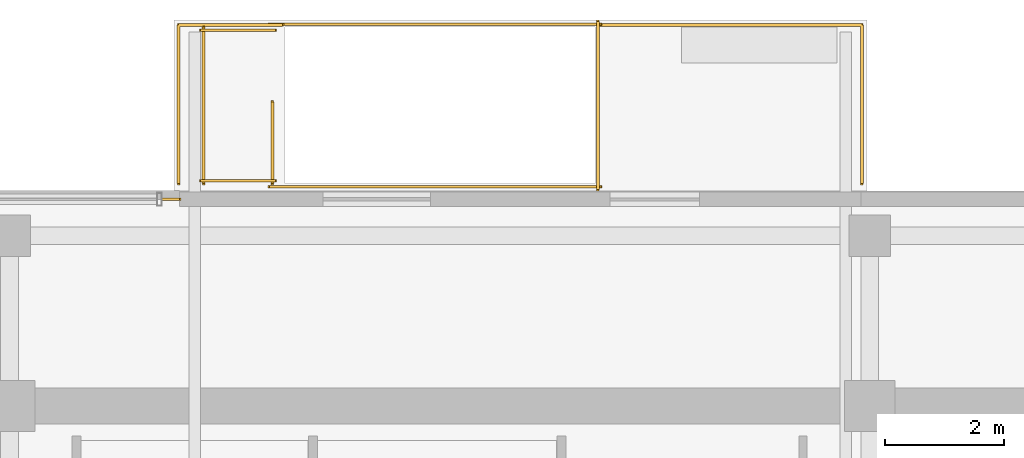
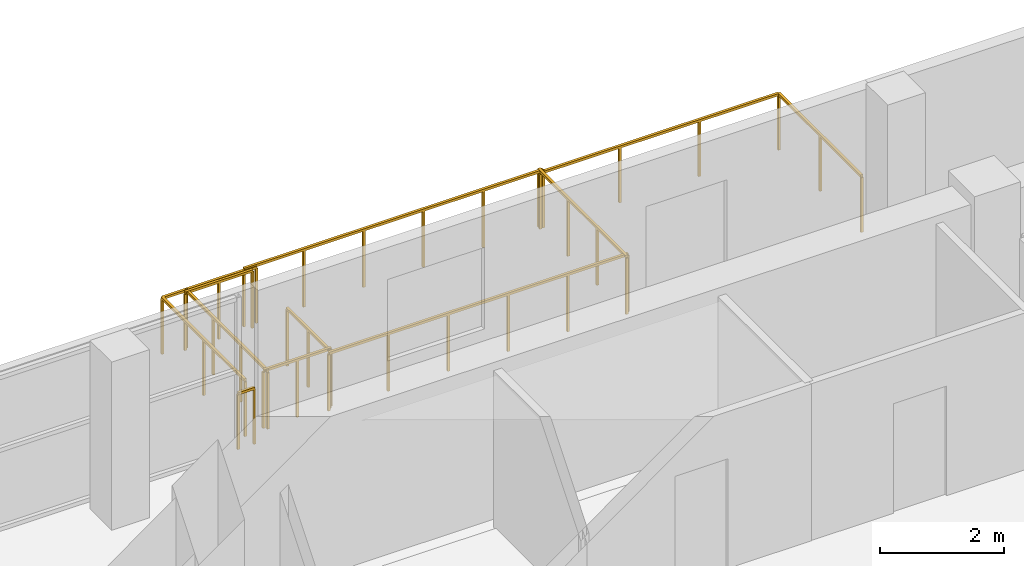
# One storey, part 23 of 24: 10 railings.
"""IFC4 building model written with IfcOpenShell, lengths in metres."""

from ifc_helpers import new_model, si_unit, direction, frame, origin, origin_2d, place, context, subcontext, project, spatial, rectangle, extrude, material, type_object, element, save


model = new_model("IFC4")

# Units and contexts
model_context = context("Model", 3, precision=1e-05, world=origin(), true_north=direction((0.0, 1.0)))
body_context = subcontext(model_context, "Body", "Model", "MODEL_VIEW")
ifc_project = project(units=[si_unit("LENGTHUNIT", "METRE"), si_unit("AREAUNIT", "SQUARE_METRE"), si_unit("VOLUMEUNIT", "CUBIC_METRE"), si_unit("PLANEANGLEUNIT", "RADIAN"), si_unit("MASSUNIT", "GRAM", prefix="KILO")], contexts=[model_context])

# Site, building, storey
site_placement = place(None, origin())
site = spatial("IfcSite", under=ifc_project, at=site_placement, CompositionType="ELEMENT")
building_placement = place(site_placement, origin())
building = spatial("IfcBuilding", under=site, at=building_placement, Name="Zarnakvel Exchange Tower", CompositionType="ELEMENT")
storey_placement = place(building_placement, frame((0.0, 0.0, 208.89990234375)))
storey = spatial("IfcBuildingStorey", under=building, at=storey_placement, Name="L58", CompositionType="ELEMENT", Elevation=208.89990234375)

# Railings
ifc_material = material(Name="Architectural Bronze Anodised Aluminium", Category="aluminium")
railing_type_1 = type_object("IfcRailingType", Name="GR-02", PredefinedType="GUARDRAIL", material=ifc_material)
railing_1_placement = place(storey_placement, frame((-4.3701171875, 17.219970703125, 0.0)))
element("IfcRailing", 1, at=railing_1_placement, inside=storey, type_object=railing_type_1, Name="L58 Spiral Sky-Terrace West Perimeter Guardrail", PredefinedType="GUARDRAIL", context=body_context, shape_type="SweptSolid", body=[
    extrude(rectangle(XDim=0.048095703125, YDim=0.048095703125, at=origin_2d()), frame((0.0, 0.0, 1.09619140625), z_axis=(0.0, 1.0, 0.0), x_axis=(-1.0, 0.0, 0.0)), (0.0, 0.0, 1.0), 2.659912109375),
    extrude(rectangle(XDim=0.048095703125, YDim=0.048095703125, at=origin_2d()), frame((0.0, 2.659912109375, 1.09619140625), z_axis=(1.0, 0.0, 0.0), x_axis=(0.0, 1.0, 0.0)), (0.0, 0.0, 1.0), 1.740234375),
    extrude(rectangle(XDim=0.0419921875, YDim=0.0419921875, at=origin_2d()), origin(), (0.0, 0.0, 1.0), 1.072021484375),
    extrude(rectangle(XDim=0.0419921875, YDim=0.0419921875, at=origin_2d()), frame((0.0, 1.330078125, 0.0)), (0.0, 0.0, 1.0), 1.072021484375),
    extrude(rectangle(XDim=0.0419921875, YDim=0.0419921875, at=origin_2d()), frame((0.0, 2.659912109375, 0.0)), (0.0, 0.0, 1.0), 1.072021484375),
    extrude(rectangle(XDim=0.0419921875, YDim=0.0419921875, at=origin_2d()), frame((1.740234375, 2.659912109375, 0.0)), (0.0, 0.0, 1.0), 1.072021484375),
])
railing_2_placement = place(storey_placement, frame((2.639892578125, 19.8798828125, 0.0)))
element("IfcRailing", 2, at=railing_2_placement, inside=storey, type_object=railing_type_1, Name="L58 Spiral Sky-Terrace East Corner Guardrail", PredefinedType="GUARDRAIL", context=body_context, shape_type="SweptSolid", body=[
    extrude(rectangle(XDim=0.048095703125, YDim=0.048095703125, at=origin_2d()), frame((0.0, 0.0, 1.09619140625), z_axis=(1.0, 0.0, 0.0), x_axis=(0.0, 1.0, 0.0)), (0.0, 0.0, 1.0), 4.43017578125),
    extrude(rectangle(XDim=0.048095703125, YDim=0.048095703125, at=origin_2d()), frame((4.43017578125, 0.0, 1.09619140625), z_axis=(0.0, -1.0, 0.0), x_axis=(1.0, 0.0, 0.0)), (0.0, 0.0, 1.0), 2.659912109375),
    extrude(rectangle(XDim=0.0419921875, YDim=0.0419921875, at=origin_2d()), origin(), (0.0, 0.0, 1.0), 1.072021484375),
    extrude(rectangle(XDim=0.0419921875, YDim=0.0419921875, at=origin_2d()), frame((1.476806640625, 0.0, 0.0)), (0.0, 0.0, 1.0), 1.072021484375),
    extrude(rectangle(XDim=0.0419921875, YDim=0.0419921875, at=origin_2d()), frame((2.953369140625, 0.0, 0.0)), (0.0, 0.0, 1.0), 1.072021484375),
    extrude(rectangle(XDim=0.0419921875, YDim=0.0419921875, at=origin_2d()), frame((4.43017578125, 0.0, 0.0)), (0.0, 0.0, 1.0), 1.072021484375),
    extrude(rectangle(XDim=0.0419921875, YDim=0.0419921875, at=origin_2d()), frame((4.43017578125, -1.330078125, 0.0)), (0.0, 0.0, 1.0), 1.072021484375),
    extrude(rectangle(XDim=0.0419921875, YDim=0.0419921875, at=origin_2d()), frame((4.43017578125, -2.659912109375, 0.0)), (0.0, 0.0, 1.0), 1.072021484375),
])
railing_3_placement = place(storey_placement, frame((-4.64990234375, 16.9599609375, 0.0)))
element("IfcRailing", 3, at=railing_3_placement, inside=storey, type_object=railing_type_1, Name="L58 Corner Spandrel Balustrade #7", PredefinedType="GUARDRAIL", context=body_context, shape_type="SweptSolid", body=[
    extrude(rectangle(XDim=0.048095703125, YDim=0.048095703125, at=origin_2d()), frame((0.0, 0.0, 1.09619140625), z_axis=(1.0, 0.0, 0.0), x_axis=(0.0, 1.0, 0.0)), (0.0, 0.0, 1.0), 0.2998046875),
    extrude(rectangle(XDim=0.0419921875, YDim=0.0419921875, at=origin_2d()), origin(), (0.0, 0.0, 1.0), 1.072021484375),
    extrude(rectangle(XDim=0.0419921875, YDim=0.0419921875, at=origin_2d()), frame((0.2998046875, 0.0, 0.0)), (0.0, 0.0, 1.0), 1.072021484375),
])
railing_type_2 = type_object("IfcRailingType", Name="SG-01", PredefinedType="GUARDRAIL", material=ifc_material)
railing_4_placement = place(storey_placement, frame((-2.800048828125, 17.219970703125, 0.0)))
element("IfcRailing", 4, at=railing_4_placement, inside=storey, type_object=railing_type_2, Name="L58 ST-13 top well guard 1", PredefinedType="GUARDRAIL", context=body_context, shape_type="SweptSolid", body=[
    extrude(rectangle(XDim=0.048095703125, YDim=0.048095703125, at=origin_2d()), frame((0.0, 0.0, 1.1259765625), z_axis=(0.0, 1.0, 0.0), x_axis=(-1.0, 0.0, 0.0)), (0.0, 0.0, 1.0), 1.3701171875),
    extrude(rectangle(XDim=0.0419921875, YDim=0.0419921875, at=origin_2d()), origin(), (0.0, 0.0, 1.0), 1.101806640625),
    extrude(rectangle(XDim=0.0419921875, YDim=0.0419921875, at=origin_2d()), frame((0.0, 0.68505859375, 0.0)), (0.0, 0.0, 1.0), 1.101806640625),
    extrude(rectangle(XDim=0.0419921875, YDim=0.0419921875, at=origin_2d()), frame((0.0, 1.3701171875, 0.0)), (0.0, 0.0, 1.0), 1.101806640625),
])
for number, where, name in (
    (5, (-2.85009765625, 17.169921875, 0.0), "L58 ST-13 top well guard 2"),
    (6, (-2.85009765625, 19.889892578125, 0.0), "L58 ST-13 top well guard 3"),
):
    element("IfcRailing", number, at=place(storey_placement, frame(where)), inside=storey, type_object=railing_type_2, Name=name, PredefinedType="GUARDRAIL", context=body_context, shape_type="SweptSolid", body=[
        extrude(rectangle(XDim=0.048095703125, YDim=0.048095703125, at=origin_2d()), frame((0.0, 0.0, 1.1259765625), z_axis=(1.0, 0.0, 0.0), x_axis=(0.0, 1.0, 0.0)), (0.0, 0.0, 1.0), 5.550048828125),
        extrude(rectangle(XDim=0.0419921875, YDim=0.0419921875, at=origin_2d()), origin(), (0.0, 0.0, 1.0), 1.101806640625),
        extrude(rectangle(XDim=0.0419921875, YDim=0.0419921875, at=origin_2d()), frame((1.110107421875, 0.0, 0.0)), (0.0, 0.0, 1.0), 1.101806640625),
        extrude(rectangle(XDim=0.0419921875, YDim=0.0419921875, at=origin_2d()), frame((2.219970703125, 0.0, 0.0)), (0.0, 0.0, 1.0), 1.101806640625),
        extrude(rectangle(XDim=0.0419921875, YDim=0.0419921875, at=origin_2d()), frame((3.330078125, 0.0, 0.0)), (0.0, 0.0, 1.0), 1.101806640625),
        extrude(rectangle(XDim=0.0419921875, YDim=0.0419921875, at=origin_2d()), frame((4.43994140625, 0.0, 0.0)), (0.0, 0.0, 1.0), 1.101806640625),
        extrude(rectangle(XDim=0.0419921875, YDim=0.0419921875, at=origin_2d()), frame((5.550048828125, 0.0, 0.0)), (0.0, 0.0, 1.0), 1.101806640625),
    ])
railing_5_placement = place(storey_placement, frame((2.64990234375, 17.1201171875, 0.0)))
element("IfcRailing", 7, at=railing_5_placement, inside=storey, type_object=railing_type_2, Name="L58 ST-13 top well guard 4", PredefinedType="GUARDRAIL", context=body_context, shape_type="SweptSolid", body=[
    extrude(rectangle(XDim=0.048095703125, YDim=0.048095703125, at=origin_2d()), frame((0.0, 0.0, 1.1259765625), z_axis=(0.0, 1.0, 0.0), x_axis=(-1.0, 0.0, 0.0)), (0.0, 0.0, 1.0), 2.81982421875),
    extrude(rectangle(XDim=0.0419921875, YDim=0.0419921875, at=origin_2d()), origin(), (0.0, 0.0, 1.0), 1.101806640625),
    extrude(rectangle(XDim=0.0419921875, YDim=0.0419921875, at=origin_2d()), frame((0.0, 0.93994140625, 0.0)), (0.0, 0.0, 1.0), 1.101806640625),
    extrude(rectangle(XDim=0.0419921875, YDim=0.0419921875, at=origin_2d()), frame((0.0, 1.8798828125, 0.0)), (0.0, 0.0, 1.0), 1.101806640625),
    extrude(rectangle(XDim=0.0419921875, YDim=0.0419921875, at=origin_2d()), frame((0.0, 2.81982421875, 0.0)), (0.0, 0.0, 1.0), 1.101806640625),
])
for number, where, name in (
    (8, (-4.0, 17.27001953125, 0.0), "L58 ST-13 top well guard 5"),
    (9, (-4.0, 19.7900390625, 0.0), "L58 ST-13 top well guard 6"),
):
    element("IfcRailing", number, at=place(storey_placement, frame(where)), inside=storey, type_object=railing_type_2, Name=name, PredefinedType="GUARDRAIL", context=body_context, shape_type="SweptSolid", body=[
        extrude(rectangle(XDim=0.048095703125, YDim=0.048095703125, at=origin_2d()), frame((0.0, 0.0, 1.1259765625), z_axis=(1.0, 0.0, 0.0), x_axis=(0.0, 1.0, 0.0)), (0.0, 0.0, 1.0), 1.25),
        extrude(rectangle(XDim=0.0419921875, YDim=0.0419921875, at=origin_2d()), origin(), (0.0, 0.0, 1.0), 1.101806640625),
        extrude(rectangle(XDim=0.0419921875, YDim=0.0419921875, at=origin_2d()), frame((0.625, 0.0, 0.0)), (0.0, 0.0, 1.0), 1.101806640625),
        extrude(rectangle(XDim=0.0419921875, YDim=0.0419921875, at=origin_2d()), frame((1.25, 0.0, 0.0)), (0.0, 0.0, 1.0), 1.101806640625),
    ])
railing_6_placement = place(storey_placement, frame((-3.949951171875, 17.219970703125, 0.0)))
element("IfcRailing", 10, at=railing_6_placement, inside=storey, type_object=railing_type_2, Name="L58 ST-13 top well guard 7", PredefinedType="GUARDRAIL", context=body_context, shape_type="SweptSolid", body=[
    extrude(rectangle(XDim=0.048095703125, YDim=0.048095703125, at=origin_2d()), frame((0.0, 0.0, 1.1259765625), z_axis=(0.0, 1.0, 0.0), x_axis=(-1.0, 0.0, 0.0)), (0.0, 0.0, 1.0), 2.6201171875),
    extrude(rectangle(XDim=0.0419921875, YDim=0.0419921875, at=origin_2d()), origin(), (0.0, 0.0, 1.0), 1.101806640625),
    extrude(rectangle(XDim=0.0419921875, YDim=0.0419921875, at=origin_2d()), frame((0.0, 0.873291015625, 0.0)), (0.0, 0.0, 1.0), 1.101806640625),
    extrude(rectangle(XDim=0.0419921875, YDim=0.0419921875, at=origin_2d()), frame((0.0, 1.746826171875, 0.0)), (0.0, 0.0, 1.0), 1.101806640625),
    extrude(rectangle(XDim=0.0419921875, YDim=0.0419921875, at=origin_2d()), frame((0.0, 2.6201171875, 0.0)), (0.0, 0.0, 1.0), 1.101806640625),
])

save(model, "model.ifc")
